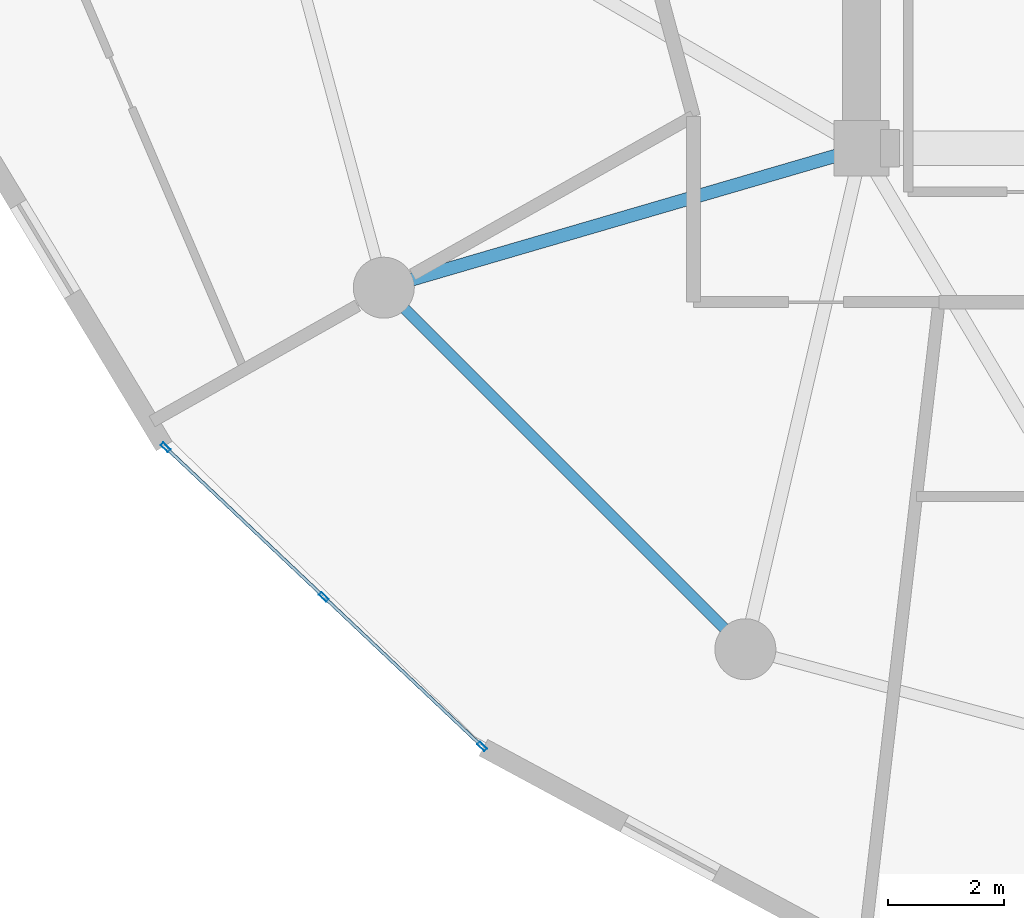
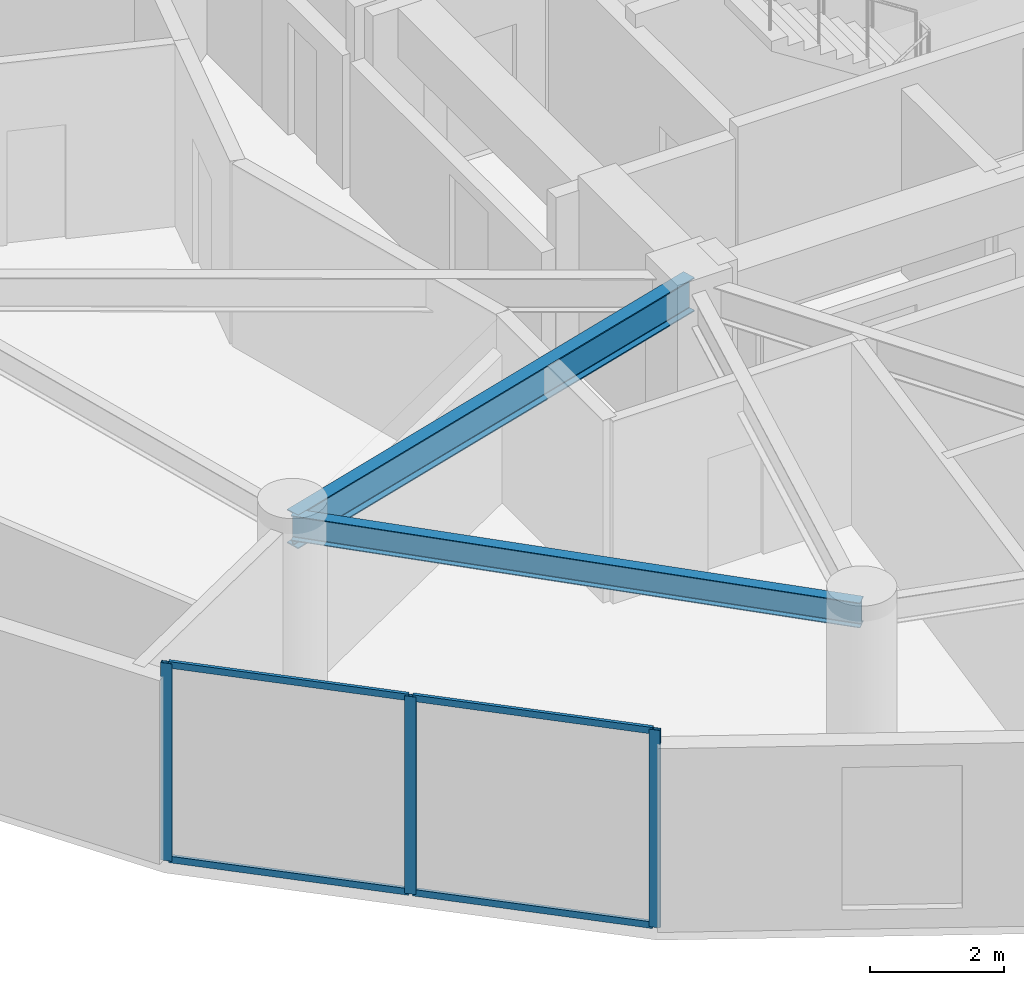
# One storey, part 2 of 25: 7 members, 2 beams, 1 element without a shape of its own.
"""IFC4 building model written with IfcOpenShell, lengths in metres."""

from ifc_helpers import new_model, si_unit, direction, frame, origin, origin_2d, place, context, subcontext, project, spatial, hollow_rectangle, i_section, extrude, source, transform, mapped, material, layer, layer_set, material_profile, profile_set, type_object, element, aggregate, save


model = new_model("IFC4")

# Units and contexts
model_context = context("Model", 3, precision=1e-05, world=origin(), true_north=direction((0.0, 1.0)))
body_context = subcontext(model_context, "Body", "Model", "MODEL_VIEW")
ifc_project = project(units=[si_unit("LENGTHUNIT", "METRE"), si_unit("AREAUNIT", "SQUARE_METRE"), si_unit("VOLUMEUNIT", "CUBIC_METRE"), si_unit("PLANEANGLEUNIT", "RADIAN"), si_unit("MASSUNIT", "GRAM", prefix="KILO")], contexts=[model_context])

# Site, building, storey
site_placement = place(None, origin())
site = spatial("IfcSite", under=ifc_project, at=site_placement, CompositionType="ELEMENT")
building_placement = place(site_placement, origin())
building = spatial("IfcBuilding", under=site, at=building_placement, Name="Solvirekh Grand Hotel", CompositionType="ELEMENT")
storey_placement = place(building_placement, frame((0.0, 0.0, 120.60009765625)))
storey = spatial("IfcBuildingStorey", under=building, at=storey_placement, Name="L30", CompositionType="ELEMENT", Elevation=120.60009765625)

# Beams
ifc_material_1 = material(Name="Steel S355", Category="steel")
ifc_material_profile_1 = material_profile(ifc_material_1, i_section(OverallWidth=0.22802734375, OverallDepth=0.616943359375, WebThickness=0.012939453125, FlangeThickness=0.02001953125, FilletRadius=0.014892578125, at=origin_2d()), Name="W610X140")
ifc_profile_set_1 = profile_set([ifc_material_profile_1], Name="Steel S355")
beam_type_1 = type_object("IfcBeamType", Name="Beam_Radial_W610", PredefinedType="BEAM", material=ifc_profile_set_1)
beam_1_placement = place(storey_placement, frame((-6.5, -6.10009765625, 3.0419921875), z_axis=(-0.959942195467, -0.28019811092, 0.0), x_axis=(0.28019811092, -0.959942195467, 0.0)))
element("IfcBeam", 1, at=beam_1_placement, inside=storey, type_object=beam_type_1, Name="L30 radial floor beam R08", PredefinedType="BEAM", context=body_context, shape_type="SweptSolid", body=[
    extrude(i_section(OverallWidth=0.22802734375, OverallDepth=0.616943359375, WebThickness=0.012939453125, FlangeThickness=0.02001953125, FilletRadius=0.014892578125, at=origin_2d()), origin(), (0.0, 0.0, 1.0), 8.56494140625),
])
ifc_material_profile_2 = material_profile(ifc_material_1, i_section(OverallWidth=0.18994140625, OverallDepth=0.45703125, WebThickness=0.009033203125, FlangeThickness=0.013916015625, FilletRadius=0.012939453125, at=origin_2d()), Name="W460X74")
ifc_profile_set_2 = profile_set([ifc_material_profile_2], Name="Steel S355")
beam_type_2 = type_object("IfcBeamType", Name="Spandrel_Ring_W460", PredefinedType="SPANDREL", material=ifc_profile_set_2)
beam_2_placement = place(storey_placement, frame((-14.721923828125, -8.5, 3.121826171875), z_axis=(0.707106781187, -0.707106781187, 0.0), x_axis=(0.707106781187, 0.707106781187, 0.0)))
element("IfcBeam", 2, at=beam_2_placement, inside=storey, type_object=beam_type_2, Name="L30 perimeter spandrel beam 8", PredefinedType="SPANDREL", context=body_context, shape_type="SweptSolid", body=[
    extrude(i_section(OverallWidth=0.18994140625, OverallDepth=0.45703125, WebThickness=0.009033203125, FlangeThickness=0.013916015625, FilletRadius=0.012939453125, at=origin_2d()), origin(), (0.0, 0.0, 1.0), 8.799072265625),
])

# Curtain wall, members
ifc_material_2 = material(Name="Anodized Bronze Aluminium 6063-T6", Category="aluminium")
ifc_layer = layer(ifc_material_2, 0.175048828125)
ifc_layer_set = layer_set([ifc_layer], Name="Anodized Bronze Aluminium 6063-T6")
curtain_wall_type = type_object("IfcCurtainWallType", Name="CW_Sys3_MidZoneFlushBronzeCW", PredefinedType="NOTDEFINED", material=ifc_layer_set)
curtain_wall_placement = place(storey_placement, origin())
curtain_wall = element("IfcCurtainWall", 3, at=curtain_wall_placement, inside=storey, type_object=curtain_wall_type, Name="L30 unitised bronze-glass curtain wall CW-L30-C15", PredefinedType="NOTDEFINED")
ifc_material_profile_3 = material_profile(ifc_material_2, hollow_rectangle(XDim=0.06494140625, YDim=0.175048828125, WallThickness=0.0048828125, at=origin_2d()), Name="ALU RHS 175X65X5")
ifc_profile_set_3 = profile_set([ifc_material_profile_3], Name="Anodized Bronze Aluminium 6063-T6")
member_type_1 = type_object("IfcMemberType", Name="CWMullion_Sys3", PredefinedType="MULLION", material=ifc_profile_set_3)
shared_shape_1 = source(origin(), body_context, "Body", "SweptSolid", [
    extrude(hollow_rectangle(XDim=0.06494140625, YDim=0.175048828125, WallThickness=0.0048828125, at=origin_2d()), origin(), (0.0, 0.0, 1.0), 3.599853515625),
])
member_1_placement = place(storey_placement, frame((-18.477294921875, -11.247314453125, 0.0), z_axis=(0.0, 0.0, 1.0), x_axis=(0.686778912605, 0.72686637369, 0.0)))
member_1 = element("IfcMember", 4, at=member_1_placement, type_object=member_type_1, Name="U03 mullion 1", PredefinedType="MULLION", context=body_context, shape_type="MappedRepresentation", body=[
    mapped(shared_shape_1, transform((0.0, 0.0, 0.0), x_axis=(1.0, 0.0, 0.0), y_axis=(0.0, 1.0, 0.0), z_axis=(0.0, 0.0, 1.0), scale=1.0)),
])
member_2_placement = place(storey_placement, frame((-15.75390625, -13.820556640625, 0.0), z_axis=(0.0, 0.0, 1.0), x_axis=(0.686778912605, 0.72686637369, 0.0)))
member_2 = element("IfcMember", 5, at=member_2_placement, type_object=member_type_1, Name="U03 mullion 2", PredefinedType="MULLION", context=body_context, shape_type="MappedRepresentation", body=[
    mapped(shared_shape_1, transform((0.0, 0.0, 0.0), x_axis=(1.0, 0.0, 0.0), y_axis=(0.0, 1.0, 0.0), z_axis=(0.0, 0.0, 1.0), scale=1.0)),
])
member_3_placement = place(storey_placement, frame((-13.030517578125, -16.393798828125, 0.0), z_axis=(0.0, 0.0, 1.0), x_axis=(0.686778912605, 0.72686637369, 0.0)))
member_3 = element("IfcMember", 6, at=member_3_placement, type_object=member_type_1, Name="U03 mullion 3", PredefinedType="MULLION", context=body_context, shape_type="MappedRepresentation", body=[
    mapped(shared_shape_1, transform((0.0, 0.0, 0.0), x_axis=(1.0, 0.0, 0.0), y_axis=(0.0, 1.0, 0.0), z_axis=(0.0, 0.0, 1.0), scale=1.0)),
])
ifc_material_profile_4 = material_profile(ifc_material_2, hollow_rectangle(XDim=0.054931640625, YDim=0.1201171875, WallThickness=0.00390625, at=origin_2d()), Name="ALU RHS 120X55X4")
ifc_profile_set_4 = profile_set([ifc_material_profile_4], Name="Anodized Bronze Aluminium 6063-T6")
member_type_2 = type_object("IfcMemberType", Name="CWTransom_Sys3", PredefinedType="USERDEFINED", material=ifc_profile_set_4)
shared_shape_2 = source(origin(), body_context, "Body", "SweptSolid", [
    extrude(hollow_rectangle(XDim=0.054931640625, YDim=0.1201171875, WallThickness=0.00390625, at=origin_2d()), origin(), (0.0, 0.0, 1.0), 3.681884765625),
])
member_4_placement = place(storey_placement, frame((-18.453857421875, -11.26953125, 0.02734375), z_axis=(0.726880737106, -0.686763710474, 0.0), x_axis=(0.686763710474, 0.726880737106, 0.0)))
member_4 = element("IfcMember", 7, at=member_4_placement, type_object=member_type_2, Name="U03 transom 1.1", ObjectType="TRANSOM", PredefinedType="USERDEFINED", context=body_context, shape_type="MappedRepresentation", body=[
    mapped(shared_shape_2, transform((0.0, 0.0, 0.0), x_axis=(1.0, 0.0, 0.0), y_axis=(0.0, 1.0, 0.0), z_axis=(0.0, 0.0, 1.0), scale=1.0)),
])
member_5_placement = place(storey_placement, frame((-18.453857421875, -11.26953125, 3.572509765625), z_axis=(0.726880737106, -0.686763710474, 0.0), x_axis=(0.686763710474, 0.726880737106, 0.0)))
member_5 = element("IfcMember", 8, at=member_5_placement, type_object=member_type_2, Name="U03 transom 1.2", ObjectType="TRANSOM", PredefinedType="USERDEFINED", context=body_context, shape_type="MappedRepresentation", body=[
    mapped(shared_shape_2, transform((0.0, 0.0, 0.0), x_axis=(1.0, 0.0, 0.0), y_axis=(0.0, 1.0, 0.0), z_axis=(0.0, 0.0, 1.0), scale=1.0)),
])
member_6_placement = place(storey_placement, frame((-15.73046875, -13.8427734375, 0.02734375), z_axis=(0.726880737106, -0.686763710474, 0.0), x_axis=(0.686763710474, 0.726880737106, 0.0)))
member_6 = element("IfcMember", 9, at=member_6_placement, type_object=member_type_2, Name="U03 transom 2.1", ObjectType="TRANSOM", PredefinedType="USERDEFINED", context=body_context, shape_type="MappedRepresentation", body=[
    mapped(shared_shape_2, transform((0.0, 0.0, 0.0), x_axis=(1.0, 0.0, 0.0), y_axis=(0.0, 1.0, 0.0), z_axis=(0.0, 0.0, 1.0), scale=1.0)),
])
member_7_placement = place(storey_placement, frame((-15.73046875, -13.8427734375, 3.572509765625), z_axis=(0.726880737106, -0.686763710474, 0.0), x_axis=(0.686763710474, 0.726880737106, 0.0)))
member_7 = element("IfcMember", 10, at=member_7_placement, type_object=member_type_2, Name="U03 transom 2.2", ObjectType="TRANSOM", PredefinedType="USERDEFINED", context=body_context, shape_type="MappedRepresentation", body=[
    mapped(shared_shape_2, transform((0.0, 0.0, 0.0), x_axis=(1.0, 0.0, 0.0), y_axis=(0.0, 1.0, 0.0), z_axis=(0.0, 0.0, 1.0), scale=1.0)),
])
aggregate(curtain_wall, [member_1, member_2, member_3, member_4, member_5, member_6, member_7])

save(model, "model.ifc")
